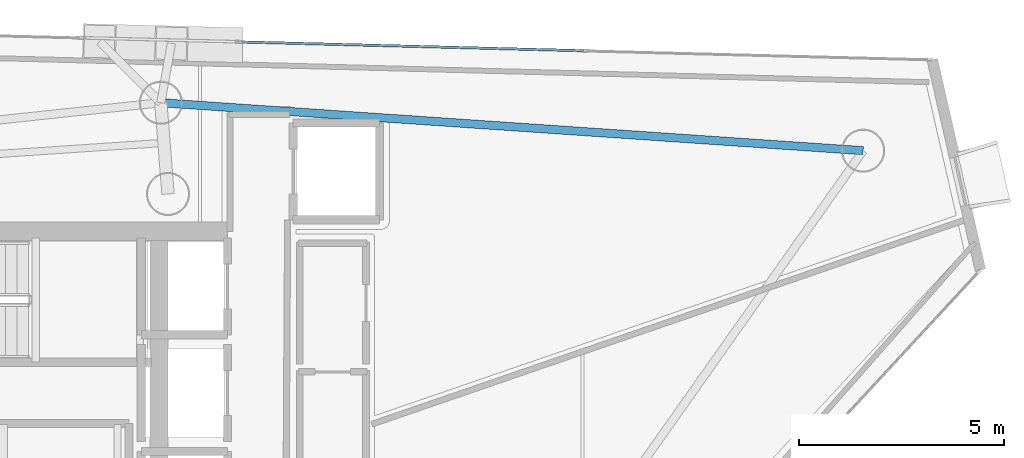
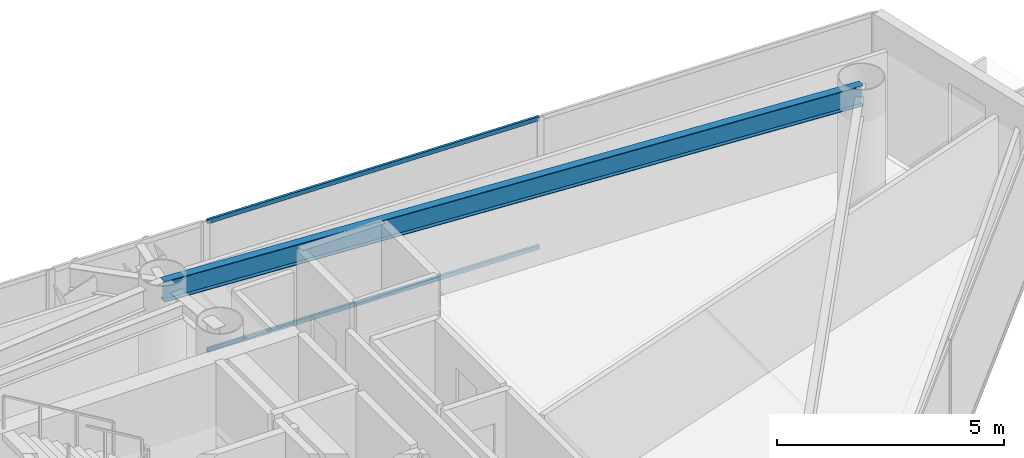
# One storey, part 12 of 21: 2 members, 1 beam, 1 element without a shape of its own.
"""IFC4 building model written with IfcOpenShell, lengths in metres."""

from ifc_helpers import new_model, si_unit, direction, frame, origin, origin_2d, place, context, subcontext, project, spatial, hollow_rectangle, i_section, extrude, material, layer, layer_set, material_profile, profile_set, type_object, element, aggregate, save


model = new_model("IFC4")

# Units and contexts
model_context = context("Model", 3, precision=1e-05, world=origin(), true_north=direction((0.0, 1.0)))
body_context = subcontext(model_context, "Body", "Model", "MODEL_VIEW")
ifc_project = project(units=[si_unit("LENGTHUNIT", "METRE"), si_unit("AREAUNIT", "SQUARE_METRE"), si_unit("VOLUMEUNIT", "CUBIC_METRE"), si_unit("PLANEANGLEUNIT", "RADIAN"), si_unit("MASSUNIT", "GRAM", prefix="KILO")], contexts=[model_context])

# Site, building, storey
site_placement = place(None, origin())
site = spatial("IfcSite", under=ifc_project, at=site_placement, CompositionType="ELEMENT")
building_placement = place(site_placement, origin())
building = spatial("IfcBuilding", under=site, at=building_placement, Name="Qianvela Tower", CompositionType="ELEMENT")
storey_placement = place(building_placement, frame((0.0, 0.0, 246.39990234375)))
storey = spatial("IfcBuildingStorey", under=building, at=storey_placement, Name="L63", CompositionType="ELEMENT", Elevation=246.39990234375)

# Beam
ifc_material_1 = material(Name="Steel Q355B", Category="steel")
ifc_material_profile_1 = material_profile(ifc_material_1, i_section(OverallWidth=0.199951171875, OverallDepth=0.550048828125, WebThickness=0.010009765625, FlangeThickness=0.01611328125, at=origin_2d()), Name="HN550x200x10x16")
ifc_profile_set_1 = profile_set([ifc_material_profile_1], Name="Steel Q355B")
beam_type = type_object("IfcBeamType", Name="BM-HN550-GIRD", PredefinedType="BEAM", material=ifc_profile_set_1)
beam_placement = place(storey_placement, frame((55.33203125, 34.60498046875, 3.2431640625), z_axis=(-0.997677407473, 0.068116008525, 0.0), x_axis=(-0.068116008525, -0.997677407473, 0.0)))
element("IfcBeam", 1, at=beam_placement, inside=storey, type_object=beam_type, Name="L63 Perimeter Ring Spandrel Girder 1", PredefinedType="BEAM", context=body_context, shape_type="SweptSolid", body=[
    extrude(i_section(OverallWidth=0.199951171875, OverallDepth=0.550048828125, WebThickness=0.010009765625, FlangeThickness=0.01611328125, at=origin_2d()), origin(), (0.0, 0.0, 1.0), 17.146728515625),
])

# Curtain wall, members
ifc_material_2 = material(Name="Anodised Architectural Aluminium and Low-E Glass", Category="aluminium")
ifc_layer = layer(ifc_material_2, 0.159912109375)
ifc_layer_set = layer_set([ifc_layer], Name="Anodised Architectural Aluminium and Low-E Glass")
curtain_wall_type = type_object("IfcCurtainWallType", Name="CW-COLIV-Z56", PredefinedType="USERDEFINED", material=ifc_layer_set)
curtain_wall_placement = place(storey_placement, origin())
curtain_wall = element("IfcCurtainWall", 2, at=curtain_wall_placement, inside=storey, type_object=curtain_wall_type, Name="L63 CW-COLIV-Z56 Curtain Wall 02A", ObjectType="CURTAIN_WALL_SYSTEM", PredefinedType="USERDEFINED")
ifc_material_3 = material(Name="Anodised Architectural Aluminium 6063-T6", Category="aluminium")
ifc_material_profile_2 = material_profile(ifc_material_3, hollow_rectangle(XDim=0.06005859375, YDim=0.114990234375, WallThickness=0.00390625, at=origin_2d()), Name="ALU-TRAN-60x115")
ifc_profile_set_2 = profile_set([ifc_material_profile_2], Name="Anodised Architectural Aluminium 6063-T6")
member_type = type_object("IfcMemberType", Name="CW-COLIV-Z56-TRAN", PredefinedType="USERDEFINED", material=ifc_profile_set_2)
member_1_placement = place(storey_placement, frame((48.529296875, 37.0400390625, 0.030029296875), z_axis=(-0.999668956177, 0.025728934235, 0.0), x_axis=(-0.025728934235, -0.999668956177, 0.0)))
member_1 = element("IfcMember", 3, at=member_1_placement, type_object=member_type, Name="CW-5 transom 2.1", ObjectType="TRANSOM", PredefinedType="USERDEFINED", context=body_context, shape_type="SweptSolid", body=[
    extrude(hollow_rectangle(XDim=0.06005859375, YDim=0.114990234375, WallThickness=0.00390625, at=origin_2d()), origin(), (0.0, 0.0, 1.0), 8.312255859375),
])
member_2_placement = place(storey_placement, frame((48.529296875, 37.0400390625, 3.489990234375), z_axis=(-0.999668956177, 0.025728934235, 0.0), x_axis=(-0.025728934235, -0.999668956177, 0.0)))
member_2 = element("IfcMember", 4, at=member_2_placement, type_object=member_type, Name="CW-5 transom 2.2", ObjectType="TRANSOM", PredefinedType="USERDEFINED", context=body_context, shape_type="SweptSolid", body=[
    extrude(hollow_rectangle(XDim=0.06005859375, YDim=0.114990234375, WallThickness=0.00390625, at=origin_2d()), origin(), (0.0, 0.0, 1.0), 8.312255859375),
])
aggregate(curtain_wall, [member_1, member_2])

save(model, "model.ifc")
